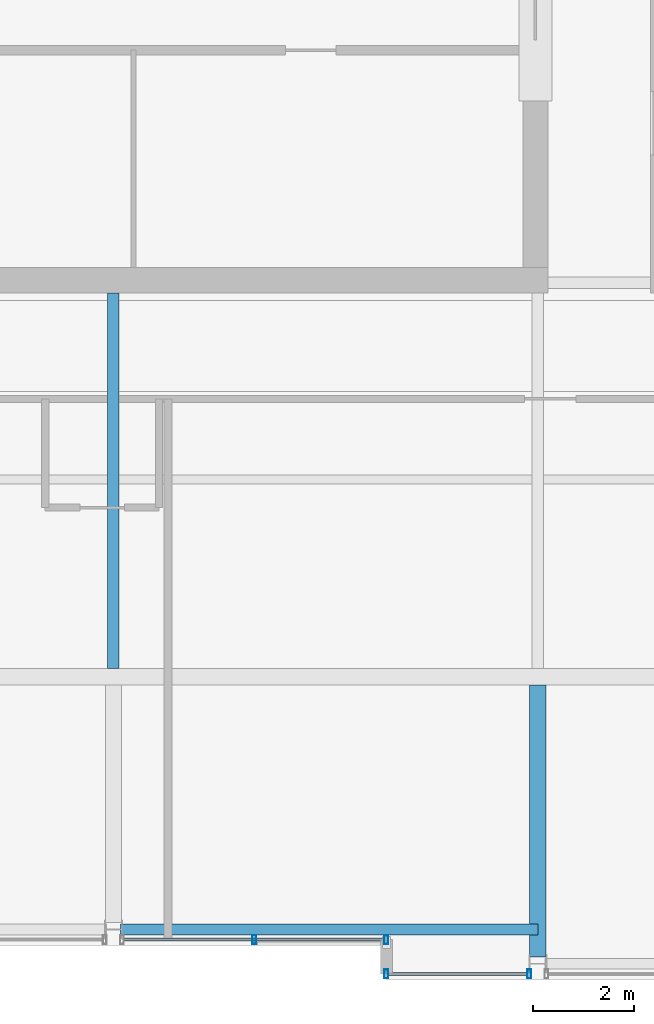
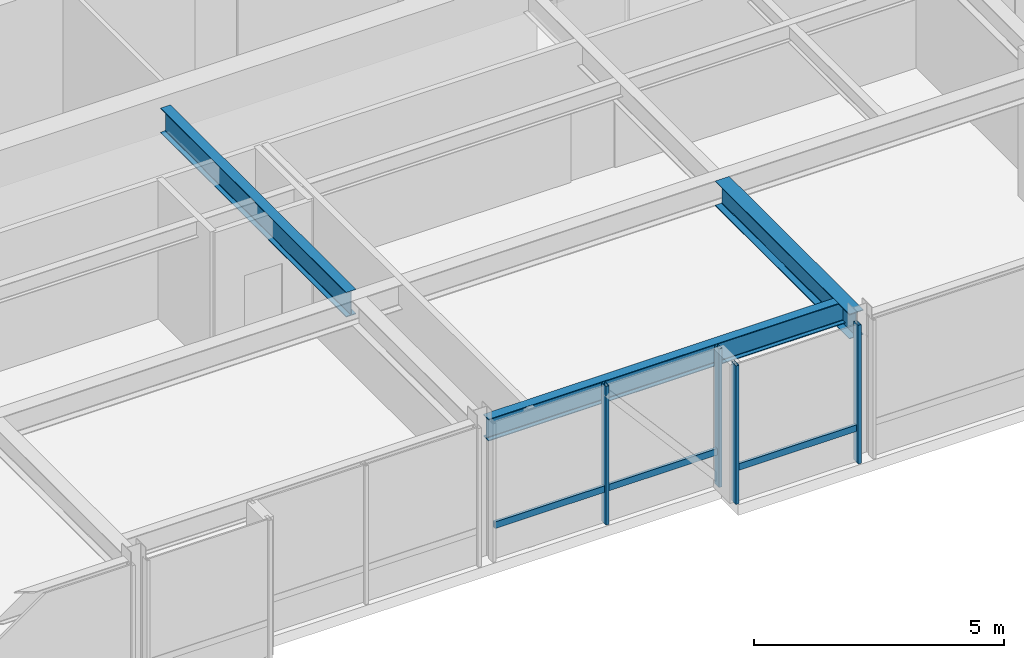
# One storey, part 9 of 33: 6 members, 3 beams, 2 elements without a shape of their own.
"""IFC4 building model written with IfcOpenShell, lengths in metres."""

from ifc_helpers import new_model, si_unit, direction, frame, origin, origin_2d, place, context, subcontext, project, spatial, hollow_rectangle, i_section, extrude, material, layer, layer_set, material_profile, profile_set, type_object, element, aggregate, save


model = new_model("IFC4")

# Units and contexts
model_context = context("Model", 3, precision=1e-05, world=origin(), true_north=direction((0.0, 1.0)))
body_context = subcontext(model_context, "Body", "Model", "MODEL_VIEW")
ifc_project = project(units=[si_unit("LENGTHUNIT", "METRE"), si_unit("AREAUNIT", "SQUARE_METRE"), si_unit("VOLUMEUNIT", "CUBIC_METRE"), si_unit("PLANEANGLEUNIT", "RADIAN"), si_unit("MASSUNIT", "GRAM", prefix="KILO")], contexts=[model_context])

# Site, building, storey
site_placement = place(None, origin())
site = spatial("IfcSite", under=ifc_project, at=site_placement, CompositionType="ELEMENT")
building_placement = place(site_placement, origin())
building = spatial("IfcBuilding", under=site, at=building_placement, Name="Drelvath Grand Hotel", CompositionType="ELEMENT")
storey_placement = place(building_placement, frame((0.0, 0.0, 279.60009765625)))
storey = spatial("IfcBuildingStorey", under=building, at=storey_placement, Name="L73", CompositionType="ELEMENT", Elevation=279.60009765625)

# Curtain wall, member
ifc_material_1 = material(Name="Platinum-Mist Anodised Aluminium Frame", Category="aluminium")
ifc_layer = layer(ifc_material_1, 0.199951171875)
ifc_layer_set = layer_set([ifc_layer], Name="Platinum-Mist Anodised Aluminium Frame")
curtain_wall_type = type_object("IfcCurtainWallType", Name="Stick Curtain Wall CW-05 Platinum Mist High-Rise", PredefinedType="NOTDEFINED", material=ifc_layer_set)
curtain_wall_1_placement = place(storey_placement, origin())
curtain_wall_1 = element("IfcCurtainWall", 1, at=curtain_wall_1_placement, inside=storey, type_object=curtain_wall_type, Name="L73 CW-05 Curtain Wall CW05-L73-SE1", PredefinedType="NOTDEFINED")
ifc_material_profile_1 = material_profile(ifc_material_1, hollow_rectangle(XDim=0.06494140625, YDim=0.159912109375, WallThickness=0.00390625, at=origin_2d()), Name="HSS160X65X4")
ifc_profile_set_1 = profile_set([ifc_material_profile_1], Name="Platinum-Mist Anodised Aluminium Frame")
member_type_1 = type_object("IfcMemberType", Name="Curtain Wall Horizontal Transom CW-05 HSS160X65X4", PredefinedType="USERDEFINED", material=ifc_profile_set_1)
member_1_placement = place(storey_placement, frame((8.18994140625, 4.919921875, 0.847412109375), z_axis=(-1.0, 0.0, 0.0), x_axis=(0.0, -1.0, 0.0)))
member_1 = element("IfcMember", 2, at=member_1_placement, type_object=member_type_1, Name="CW05-L73-SE1 Sill Transom", ObjectType="TRANSOM", PredefinedType="USERDEFINED", context=body_context, shape_type="SweptSolid", body=[
    extrude(hollow_rectangle(XDim=0.06494140625, YDim=0.159912109375, WallThickness=0.00390625, at=origin_2d()), origin(), (0.0, 0.0, 1.0), 2.75),
])

curtain_wall_2_placement = place(storey_placement, origin())
curtain_wall_2 = element("IfcCurtainWall", 3, at=curtain_wall_2_placement, inside=storey, type_object=curtain_wall_type, Name="L73 CW-05 Curtain Wall CW05-L73-SM2", PredefinedType="NOTDEFINED")
member_2_placement = place(storey_placement, frame((5.360107421875, 5.60009765625, 0.847412109375), z_axis=(-1.0, 0.0, 0.0), x_axis=(0.0, -1.0, 0.0)))
member_2 = element("IfcMember", 4, at=member_2_placement, type_object=member_type_1, Name="CW05-L73-SM2 Sill Transom", ObjectType="TRANSOM", PredefinedType="USERDEFINED", context=body_context, shape_type="SweptSolid", body=[
    extrude(hollow_rectangle(XDim=0.06494140625, YDim=0.159912109375, WallThickness=0.00390625, at=origin_2d()), origin(), (0.0, 0.0, 1.0), 5.14990234375),
])

# Member
ifc_material_profile_2 = material_profile(ifc_material_1, hollow_rectangle(XDim=0.074951171875, YDim=0.179931640625, WallThickness=0.0048828125, at=origin_2d()), Name="HSS180X75X5")
ifc_profile_set_2 = profile_set([ifc_material_profile_2], Name="Platinum-Mist Anodised Aluminium Frame")
member_type_2 = type_object("IfcMemberType", Name="Curtain Wall Vertical Mullion CW-05 HSS180X75X5", PredefinedType="MULLION", material=ifc_profile_set_2)
member_3_placement = place(storey_placement, frame((8.22998046875, 4.919921875, 0.0), z_axis=(0.0, 0.0, 1.0), x_axis=(1.0, 0.0, 0.0)))
member_3 = element("IfcMember", 5, at=member_3_placement, type_object=member_type_2, Name="CW05-L73-SE1 Mullion 1", PredefinedType="MULLION", context=body_context, shape_type="SweptSolid", body=[
    extrude(hollow_rectangle(XDim=0.074951171875, YDim=0.179931640625, WallThickness=0.0048828125, at=origin_2d()), origin(), (0.0, 0.0, 1.0), 3.389892578125),
])

member_4_placement = place(storey_placement, frame((5.39990234375, 4.919921875, 0.0), z_axis=(0.0, 0.0, 1.0), x_axis=(1.0, 0.0, 0.0)))
member_4 = element("IfcMember", 6, at=member_4_placement, type_object=member_type_2, Name="CW05-L73-SE1 Mullion 2", PredefinedType="MULLION", context=body_context, shape_type="SweptSolid", body=[
    extrude(hollow_rectangle(XDim=0.074951171875, YDim=0.179931640625, WallThickness=0.0048828125, at=origin_2d()), origin(), (0.0, 0.0, 1.0), 3.389892578125),
])

aggregate(curtain_wall_1, [member_3, member_4, member_1])

member_5_placement = place(storey_placement, frame((5.39990234375, 5.60009765625, 0.0), z_axis=(0.0, 0.0, 1.0), x_axis=(1.0, 0.0, 0.0)))
member_5 = element("IfcMember", 7, at=member_5_placement, type_object=member_type_2, Name="CW05-L73-SM2 Mullion 1", PredefinedType="MULLION", context=body_context, shape_type="SweptSolid", body=[
    extrude(hollow_rectangle(XDim=0.074951171875, YDim=0.179931640625, WallThickness=0.0048828125, at=origin_2d()), origin(), (0.0, 0.0, 1.0), 3.389892578125),
])

member_6_placement = place(storey_placement, frame((2.78515625, 5.60009765625, 0.0), z_axis=(0.0, 0.0, 1.0), x_axis=(1.0, 0.0, 0.0)))
member_6 = element("IfcMember", 8, at=member_6_placement, type_object=member_type_2, Name="CW05-L73-SM2 Mullion 2", PredefinedType="MULLION", context=body_context, shape_type="SweptSolid", body=[
    extrude(hollow_rectangle(XDim=0.074951171875, YDim=0.179931640625, WallThickness=0.0048828125, at=origin_2d()), origin(), (0.0, 0.0, 1.0), 3.389892578125),
])

aggregate(curtain_wall_2, [member_5, member_6, member_2])

# Beams
ifc_material_2 = material(Name="Steel ASTM A992 Gr 50", Category="steel")
ifc_material_profile_3 = material_profile(ifc_material_2, i_section(OverallWidth=0.210205078125, OverallDepth=0.53662109375, WebThickness=0.010986328125, FlangeThickness=0.017333984375, FilletRadius=0.01806640625, at=origin_2d()), Name="W21X68")
ifc_profile_set_3 = profile_set([ifc_material_profile_3], Name="Steel ASTM A992 Gr 50")
beam_type_1 = type_object("IfcBeamType", Name="Perimeter Spandrel Beam W21X68", PredefinedType="SPANDREL", material=ifc_profile_set_3)
beam_1_placement = place(storey_placement, frame((0.139892578125, 5.800048828125, 3.12158203125), z_axis=(1.0, 0.0, 0.0), x_axis=(0.0, 1.0, 0.0)))
element("IfcBeam", 9, at=beam_1_placement, inside=storey, type_object=beam_type_1, Name="L73 Spandrel South Mid E", PredefinedType="SPANDREL", context=body_context, shape_type="SweptSolid", body=[
    extrude(i_section(OverallWidth=0.210205078125, OverallDepth=0.53662109375, WebThickness=0.010986328125, FlangeThickness=0.017333984375, FilletRadius=0.01806640625, at=origin_2d()), origin(), (0.0, 0.0, 1.0), 8.260009765625),
])
ifc_material_profile_4 = material_profile(ifc_material_2, i_section(OverallWidth=0.323974609375, OverallDepth=0.611083984375, WebThickness=0.0126953125, FlangeThickness=0.01904296875, FilletRadius=0.02197265625, at=origin_2d()), Name="W24X104")
ifc_profile_set_4 = profile_set([ifc_material_profile_4], Name="Steel ASTM A992 Gr 50")
beam_type_2 = type_object("IfcBeamType", Name="Primary Floor Girder W24X104", PredefinedType="BEAM", material=ifc_profile_set_4)
beam_2_placement = place(storey_placement, frame((8.39990234375, 5.260009765625, 3.08447265625), z_axis=(0.0, 1.0, 0.0), x_axis=(-1.0, 0.0, 0.0)))
element("IfcBeam", 10, at=beam_2_placement, inside=storey, type_object=beam_type_2, Name="L73 South Wing Girder 6", PredefinedType="BEAM", context=body_context, shape_type="SweptSolid", body=[
    extrude(i_section(OverallWidth=0.323974609375, OverallDepth=0.611083984375, WebThickness=0.0126953125, FlangeThickness=0.01904296875, FilletRadius=0.02197265625, at=origin_2d()), origin(), (0.0, 0.0, 1.0), 5.3779296875),
])
ifc_material_profile_5 = material_profile(ifc_material_2, i_section(OverallWidth=0.228271484375, OverallDepth=0.607666015625, WebThickness=0.01123046875, FlangeThickness=0.017333984375, FilletRadius=0.02001953125, at=origin_2d()), Name="W24X76")
ifc_profile_set_5 = profile_set([ifc_material_profile_5], Name="Steel ASTM A992 Gr 50")
beam_type_3 = type_object("IfcBeamType", Name="Primary Floor Girder W24X76", PredefinedType="BEAM", material=ifc_profile_set_5)
beam_3_placement = place(storey_placement, frame((0.0, 10.9619140625, 3.086181640625), z_axis=(0.0, 1.0, 0.0), x_axis=(-1.0, 0.0, 0.0)))
element("IfcBeam", 11, at=beam_3_placement, inside=storey, type_object=beam_type_3, Name="L73 South Core Tie 5", PredefinedType="BEAM", context=body_context, shape_type="SweptSolid", body=[
    extrude(i_section(OverallWidth=0.228271484375, OverallDepth=0.607666015625, WebThickness=0.01123046875, FlangeThickness=0.017333984375, FilletRadius=0.02001953125, at=origin_2d()), origin(), (0.0, 0.0, 1.0), 7.43798828125),
])

save(model, "model.ifc")
